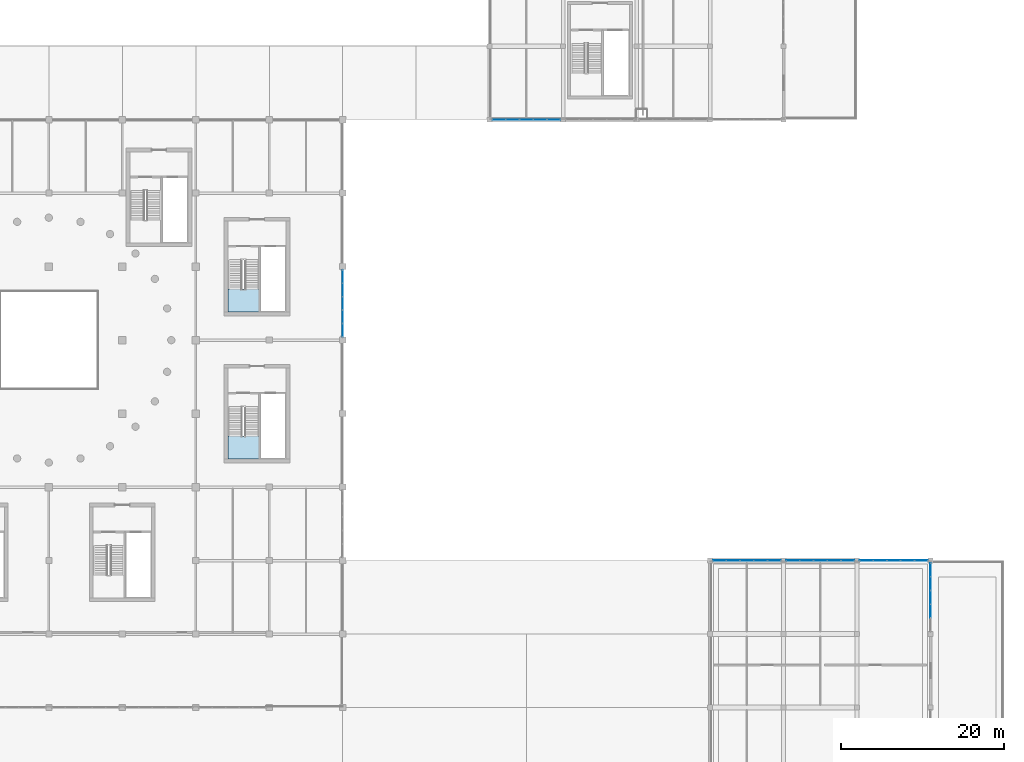
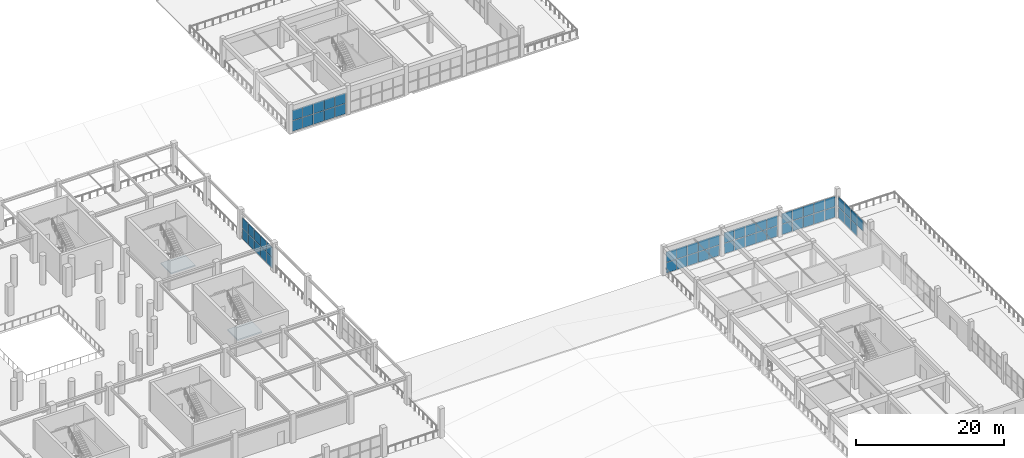
# One storey, part 55 of 89: 57 plates, 2 slabs, 8 elements without a shape of their own.
"""IFC4 building model written with IfcOpenShell, lengths in metres."""

from ifc_helpers import new_model, si_unit, direction, frame, origin, origin_2d, place, context, subcontext, project, spatial, polyline, rectangle, outline, extrude, material, layer, layer_set, type_object, element, aggregate, save


model = new_model("IFC4")

# Units and contexts
model_context = context("Model", 3, precision=1e-05, world=origin(), true_north=direction((0.0, 1.0)))
body_context = subcontext(model_context, "Body", "Model", "MODEL_VIEW")
ifc_project = project(units=[si_unit("LENGTHUNIT", "METRE"), si_unit("AREAUNIT", "SQUARE_METRE"), si_unit("VOLUMEUNIT", "CUBIC_METRE"), si_unit("PLANEANGLEUNIT", "RADIAN"), si_unit("MASSUNIT", "GRAM", prefix="KILO")], contexts=[model_context])

# Site, building, storey
site_placement = place(None, origin())
site = spatial("IfcSite", under=ifc_project, at=site_placement, CompositionType="ELEMENT")
building_placement = place(site_placement, origin())
building = spatial("IfcBuilding", under=site, at=building_placement, Name="Dornveld Trade and Exhibition Forum", CompositionType="ELEMENT")
storey_placement = place(building_placement, frame((0.0, 0.0, 12.0)))
storey = spatial("IfcBuildingStorey", under=building, at=storey_placement, Name="L02", CompositionType="ELEMENT", Elevation=12.0)

# Curtain wall, plates
ifc_material_1 = material(Name="Dark-bronze anodised aluminium and low-E glass", Category="aluminium")
ifc_layer_1 = layer(ifc_material_1, 0.156982421875)
ifc_layer_set_1 = layer_set([ifc_layer_1], Name="Dark-bronze anodised aluminium and low-E glass")
curtain_wall_type_1 = type_object("IfcCurtainWallType", Name="CW-SYS-05", PredefinedType="USERDEFINED", material=ifc_layer_set_1)
curtain_wall_1_placement = place(storey_placement, origin())
curtain_wall_1 = element("IfcCurtainWall", 1, at=curtain_wall_1_placement, inside=storey, type_object=curtain_wall_type_1, Name="L02 unitised curtain wall 113", ObjectType="UNITISED_CURTAIN_WALL", PredefinedType="USERDEFINED")
ifc_material_2 = material(Name="Double-glazed low-E solar control glass", Category="glass")
ifc_layer_2 = layer(ifc_material_2, 0.02587890625)
ifc_layer_set_2 = layer_set([ifc_layer_2], Name="Double-glazed low-E solar control glass")
plate_type_1 = type_object("IfcPlateType", Name="CW-PNL-01", PredefinedType="CURTAIN_PANEL", material=ifc_layer_set_2)
plate_1_placement = place(storey_placement, frame((172.15185546875, 108.0, 0.05615234375), z_axis=(0.0, 0.0, 1.0), x_axis=(1.0, 0.0, 0.0)))
plate_1 = element("IfcPlate", 2, at=plate_1_placement, type_object=plate_type_1, Name="CW-05 panel 1.1", PredefinedType="CURTAIN_PANEL", context=body_context, shape_type="SweptSolid", body=[
    extrude(rectangle(XDim=1.591552734375, YDim=0.02587890625, at=origin_2d()), origin(), (0.0, 0.0, 1.0), 1.701904296875),
])
plate_2_placement = place(storey_placement, frame((172.15185546875, 108.0, 1.81787109375), z_axis=(0.0, 0.0, 1.0), x_axis=(1.0, 0.0, 0.0)))
plate_2 = element("IfcPlate", 3, at=plate_2_placement, type_object=plate_type_1, Name="CW-05 panel 1.2", PredefinedType="CURTAIN_PANEL", context=body_context, shape_type="SweptSolid", body=[
    extrude(rectangle(XDim=1.591552734375, YDim=0.02587890625, at=origin_2d()), origin(), (0.0, 0.0, 1.0), 1.701904296875),
])
plate_3_placement = place(storey_placement, frame((173.818359375, 108.0, 0.05615234375), z_axis=(0.0, 0.0, 1.0), x_axis=(1.0, 0.0, 0.0)))
plate_3 = element("IfcPlate", 4, at=plate_3_placement, type_object=plate_type_1, Name="CW-05 panel 2.1", PredefinedType="CURTAIN_PANEL", context=body_context, shape_type="SweptSolid", body=[
    extrude(rectangle(XDim=1.62158203125, YDim=0.02587890625, at=origin_2d()), origin(), (0.0, 0.0, 1.0), 1.701904296875),
])
plate_4_placement = place(storey_placement, frame((173.818359375, 108.0, 1.81787109375), z_axis=(0.0, 0.0, 1.0), x_axis=(1.0, 0.0, 0.0)))
plate_4 = element("IfcPlate", 5, at=plate_4_placement, type_object=plate_type_1, Name="CW-05 panel 2.2", PredefinedType="CURTAIN_PANEL", context=body_context, shape_type="SweptSolid", body=[
    extrude(rectangle(XDim=1.62158203125, YDim=0.02587890625, at=origin_2d()), origin(), (0.0, 0.0, 1.0), 1.701904296875),
])
plate_5_placement = place(storey_placement, frame((175.5, 108.0, 0.05615234375), z_axis=(0.0, 0.0, 1.0), x_axis=(1.0, 0.0, 0.0)))
plate_5 = element("IfcPlate", 6, at=plate_5_placement, type_object=plate_type_1, Name="CW-05 panel 3.1", PredefinedType="CURTAIN_PANEL", context=body_context, shape_type="SweptSolid", body=[
    extrude(rectangle(XDim=1.62158203125, YDim=0.02587890625, at=origin_2d()), origin(), (0.0, 0.0, 1.0), 1.701904296875),
])
plate_6_placement = place(storey_placement, frame((175.5, 108.0, 1.81787109375), z_axis=(0.0, 0.0, 1.0), x_axis=(1.0, 0.0, 0.0)))
plate_6 = element("IfcPlate", 7, at=plate_6_placement, type_object=plate_type_1, Name="CW-05 panel 3.2", PredefinedType="CURTAIN_PANEL", context=body_context, shape_type="SweptSolid", body=[
    extrude(rectangle(XDim=1.62158203125, YDim=0.02587890625, at=origin_2d()), origin(), (0.0, 0.0, 1.0), 1.701904296875),
])
plate_7_placement = place(storey_placement, frame((177.181640625, 108.0, 0.05615234375), z_axis=(0.0, 0.0, 1.0), x_axis=(1.0, 0.0, 0.0)))
plate_7 = element("IfcPlate", 8, at=plate_7_placement, type_object=plate_type_1, Name="CW-05 panel 4.1", PredefinedType="CURTAIN_PANEL", context=body_context, shape_type="SweptSolid", body=[
    extrude(rectangle(XDim=1.62158203125, YDim=0.02587890625, at=origin_2d()), origin(), (0.0, 0.0, 1.0), 1.701904296875),
])
plate_8_placement = place(storey_placement, frame((177.181640625, 108.0, 1.81787109375), z_axis=(0.0, 0.0, 1.0), x_axis=(1.0, 0.0, 0.0)))
plate_8 = element("IfcPlate", 9, at=plate_8_placement, type_object=plate_type_1, Name="CW-05 panel 4.2", PredefinedType="CURTAIN_PANEL", context=body_context, shape_type="SweptSolid", body=[
    extrude(rectangle(XDim=1.62158203125, YDim=0.02587890625, at=origin_2d()), origin(), (0.0, 0.0, 1.0), 1.701904296875),
])
plate_9_placement = place(storey_placement, frame((178.84814453125, 108.0, 0.05615234375), z_axis=(0.0, 0.0, 1.0), x_axis=(1.0, 0.0, 0.0)))
plate_9 = element("IfcPlate", 10, at=plate_9_placement, type_object=plate_type_1, Name="CW-05 panel 5.1", PredefinedType="CURTAIN_PANEL", context=body_context, shape_type="SweptSolid", body=[
    extrude(rectangle(XDim=1.591552734375, YDim=0.02587890625, at=origin_2d()), origin(), (0.0, 0.0, 1.0), 1.701904296875),
])
plate_10_placement = place(storey_placement, frame((178.84814453125, 108.0, 1.81787109375), z_axis=(0.0, 0.0, 1.0), x_axis=(1.0, 0.0, 0.0)))
plate_10 = element("IfcPlate", 11, at=plate_10_placement, type_object=plate_type_1, Name="CW-05 panel 5.2", PredefinedType="CURTAIN_PANEL", context=body_context, shape_type="SweptSolid", body=[
    extrude(rectangle(XDim=1.591552734375, YDim=0.02587890625, at=origin_2d()), origin(), (0.0, 0.0, 1.0), 1.701904296875),
])
aggregate(curtain_wall_1, [plate_1, plate_2, plate_3, plate_4, plate_5, plate_6, plate_7, plate_8, plate_9, plate_10])

ifc_material_3 = material(Name="Dark-bronze anodised aluminium and low-E glass", Category="aluminium")
ifc_layer_3 = layer(ifc_material_3, 0.14501953125)
ifc_layer_set_3 = layer_set([ifc_layer_3], Name="Dark-bronze anodised aluminium and low-E glass")
curtain_wall_type_2 = type_object("IfcCurtainWallType", Name="CW-SYS-01", PredefinedType="USERDEFINED", material=ifc_layer_set_3)
curtain_wall_2_placement = place(storey_placement, origin())
curtain_wall_2 = element("IfcCurtainWall", 12, at=curtain_wall_2_placement, inside=storey, type_object=curtain_wall_type_2, Name="L02 unitised curtain wall 91", ObjectType="UNITISED_CURTAIN_WALL", PredefinedType="USERDEFINED")
ifc_material_4 = material(Name="Double-glazed low-E solar control glass", Category="glass")
ifc_layer_4 = layer(ifc_material_4, 0.030029296875)
ifc_layer_set_4 = layer_set([ifc_layer_4], Name="Double-glazed low-E solar control glass")
plate_type_2 = type_object("IfcPlateType", Name="CW-PNL-03", PredefinedType="CURTAIN_PANEL", material=ifc_layer_set_4)
plate_11_placement = place(storey_placement, frame((205.84814453125, 54.0, 0.05615234375), z_axis=(0.0, 0.0, 1.0), x_axis=(-1.0, 0.0, 0.0)))
plate_11 = element("IfcPlate", 13, at=plate_11_placement, type_object=plate_type_2, Name="CW-01 panel 1.1", PredefinedType="CURTAIN_PANEL", context=body_context, shape_type="SweptSolid", body=[
    extrude(rectangle(XDim=1.591552734375, YDim=0.030029296875, at=origin_2d()), origin(), (0.0, 0.0, 1.0), 1.701904296875),
])
plate_12_placement = place(storey_placement, frame((205.84814453125, 54.0, 1.81787109375), z_axis=(0.0, 0.0, 1.0), x_axis=(-1.0, 0.0, 0.0)))
plate_12 = element("IfcPlate", 14, at=plate_12_placement, type_object=plate_type_2, Name="CW-01 panel 1.2", PredefinedType="CURTAIN_PANEL", context=body_context, shape_type="SweptSolid", body=[
    extrude(rectangle(XDim=1.591552734375, YDim=0.030029296875, at=origin_2d()), origin(), (0.0, 0.0, 1.0), 1.701904296875),
])
plate_13_placement = place(storey_placement, frame((204.181640625, 54.0, 0.05615234375), z_axis=(0.0, 0.0, 1.0), x_axis=(-1.0, 0.0, 0.0)))
plate_13 = element("IfcPlate", 15, at=plate_13_placement, type_object=plate_type_2, Name="CW-01 panel 2.1", PredefinedType="CURTAIN_PANEL", context=body_context, shape_type="SweptSolid", body=[
    extrude(rectangle(XDim=1.62158203125, YDim=0.030029296875, at=origin_2d()), origin(), (0.0, 0.0, 1.0), 1.701904296875),
])
plate_14_placement = place(storey_placement, frame((204.181640625, 54.0, 1.81787109375), z_axis=(0.0, 0.0, 1.0), x_axis=(-1.0, 0.0, 0.0)))
plate_14 = element("IfcPlate", 16, at=plate_14_placement, type_object=plate_type_2, Name="CW-01 panel 2.2", PredefinedType="CURTAIN_PANEL", context=body_context, shape_type="SweptSolid", body=[
    extrude(rectangle(XDim=1.62158203125, YDim=0.030029296875, at=origin_2d()), origin(), (0.0, 0.0, 1.0), 1.701904296875),
])
plate_15_placement = place(storey_placement, frame((202.5, 54.0, 0.05615234375), z_axis=(0.0, 0.0, 1.0), x_axis=(-1.0, 0.0, 0.0)))
plate_15 = element("IfcPlate", 17, at=plate_15_placement, type_object=plate_type_2, Name="CW-01 panel 3.1", PredefinedType="CURTAIN_PANEL", context=body_context, shape_type="SweptSolid", body=[
    extrude(rectangle(XDim=1.62158203125, YDim=0.030029296875, at=origin_2d()), origin(), (0.0, 0.0, 1.0), 1.701904296875),
])
plate_16_placement = place(storey_placement, frame((202.5, 54.0, 1.81787109375), z_axis=(0.0, 0.0, 1.0), x_axis=(-1.0, 0.0, 0.0)))
plate_16 = element("IfcPlate", 18, at=plate_16_placement, type_object=plate_type_2, Name="CW-01 panel 3.2", PredefinedType="CURTAIN_PANEL", context=body_context, shape_type="SweptSolid", body=[
    extrude(rectangle(XDim=1.62158203125, YDim=0.030029296875, at=origin_2d()), origin(), (0.0, 0.0, 1.0), 1.701904296875),
])
plate_17_placement = place(storey_placement, frame((200.818359375, 54.0, 0.05615234375), z_axis=(0.0, 0.0, 1.0), x_axis=(-1.0, 0.0, 0.0)))
plate_17 = element("IfcPlate", 19, at=plate_17_placement, type_object=plate_type_2, Name="CW-01 panel 4.1", PredefinedType="CURTAIN_PANEL", context=body_context, shape_type="SweptSolid", body=[
    extrude(rectangle(XDim=1.62158203125, YDim=0.030029296875, at=origin_2d()), origin(), (0.0, 0.0, 1.0), 1.701904296875),
])
plate_18_placement = place(storey_placement, frame((200.818359375, 54.0, 1.81787109375), z_axis=(0.0, 0.0, 1.0), x_axis=(-1.0, 0.0, 0.0)))
plate_18 = element("IfcPlate", 20, at=plate_18_placement, type_object=plate_type_2, Name="CW-01 panel 4.2", PredefinedType="CURTAIN_PANEL", context=body_context, shape_type="SweptSolid", body=[
    extrude(rectangle(XDim=1.62158203125, YDim=0.030029296875, at=origin_2d()), origin(), (0.0, 0.0, 1.0), 1.701904296875),
])
plate_19_placement = place(storey_placement, frame((199.15185546875, 54.0, 0.05615234375), z_axis=(0.0, 0.0, 1.0), x_axis=(-1.0, 0.0, 0.0)))
plate_19 = element("IfcPlate", 21, at=plate_19_placement, type_object=plate_type_2, Name="CW-01 panel 5.1", PredefinedType="CURTAIN_PANEL", context=body_context, shape_type="SweptSolid", body=[
    extrude(rectangle(XDim=1.591552734375, YDim=0.030029296875, at=origin_2d()), origin(), (0.0, 0.0, 1.0), 1.701904296875),
])
plate_20_placement = place(storey_placement, frame((199.15185546875, 54.0, 1.81787109375), z_axis=(0.0, 0.0, 1.0), x_axis=(-1.0, 0.0, 0.0)))
plate_20 = element("IfcPlate", 22, at=plate_20_placement, type_object=plate_type_2, Name="CW-01 panel 5.2", PredefinedType="CURTAIN_PANEL", context=body_context, shape_type="SweptSolid", body=[
    extrude(rectangle(XDim=1.591552734375, YDim=0.030029296875, at=origin_2d()), origin(), (0.0, 0.0, 1.0), 1.701904296875),
])
aggregate(curtain_wall_2, [plate_11, plate_12, plate_13, plate_14, plate_15, plate_16, plate_17, plate_18, plate_19, plate_20])

ifc_material_5 = material(Name="Dark-bronze anodised aluminium and low-E glass", Category="aluminium")
ifc_layer_5 = layer(ifc_material_5, 0.14794921875)
ifc_layer_set_5 = layer_set([ifc_layer_5], Name="Dark-bronze anodised aluminium and low-E glass")
curtain_wall_type_3 = type_object("IfcCurtainWallType", Name="CW-SYS-02", PredefinedType="USERDEFINED", material=ifc_layer_set_5)
curtain_wall_3_placement = place(storey_placement, origin())
curtain_wall_3 = element("IfcCurtainWall", 23, at=curtain_wall_3_placement, inside=storey, type_object=curtain_wall_type_3, Name="L02 unitised curtain wall 92", ObjectType="UNITISED_CURTAIN_WALL", PredefinedType="USERDEFINED")
ifc_material_6 = material(Name="Double-glazed low-E solar control glass", Category="glass")
ifc_layer_6 = layer(ifc_material_6, 0.031982421875)
ifc_layer_set_6 = layer_set([ifc_layer_6], Name="Double-glazed low-E solar control glass")
plate_type_3 = type_object("IfcPlateType", Name="CW-PNL-04", PredefinedType="CURTAIN_PANEL", material=ifc_layer_set_6)
plate_21_placement = place(storey_placement, frame((214.84814453125, 54.0, 0.05615234375), z_axis=(0.0, 0.0, 1.0), x_axis=(-1.0, 0.0, 0.0)))
plate_21 = element("IfcPlate", 24, at=plate_21_placement, type_object=plate_type_3, Name="CW-02 panel 1.1", PredefinedType="CURTAIN_PANEL", context=body_context, shape_type="SweptSolid", body=[
    extrude(rectangle(XDim=1.591552734375, YDim=0.031982421875, at=origin_2d()), origin(), (0.0, 0.0, 1.0), 1.701904296875),
])
plate_22_placement = place(storey_placement, frame((214.84814453125, 54.0, 1.81787109375), z_axis=(0.0, 0.0, 1.0), x_axis=(-1.0, 0.0, 0.0)))
plate_22 = element("IfcPlate", 25, at=plate_22_placement, type_object=plate_type_3, Name="CW-02 panel 1.2", PredefinedType="CURTAIN_PANEL", context=body_context, shape_type="SweptSolid", body=[
    extrude(rectangle(XDim=1.591552734375, YDim=0.031982421875, at=origin_2d()), origin(), (0.0, 0.0, 1.0), 1.701904296875),
])
plate_23_placement = place(storey_placement, frame((213.181640625, 54.0, 0.05615234375), z_axis=(0.0, 0.0, 1.0), x_axis=(-1.0, 0.0, 0.0)))
plate_23 = element("IfcPlate", 26, at=plate_23_placement, type_object=plate_type_3, Name="CW-02 panel 2.1", PredefinedType="CURTAIN_PANEL", context=body_context, shape_type="SweptSolid", body=[
    extrude(rectangle(XDim=1.62158203125, YDim=0.031982421875, at=origin_2d()), origin(), (0.0, 0.0, 1.0), 1.701904296875),
])
plate_24_placement = place(storey_placement, frame((213.181640625, 54.0, 1.81787109375), z_axis=(0.0, 0.0, 1.0), x_axis=(-1.0, 0.0, 0.0)))
plate_24 = element("IfcPlate", 27, at=plate_24_placement, type_object=plate_type_3, Name="CW-02 panel 2.2", PredefinedType="CURTAIN_PANEL", context=body_context, shape_type="SweptSolid", body=[
    extrude(rectangle(XDim=1.62158203125, YDim=0.031982421875, at=origin_2d()), origin(), (0.0, 0.0, 1.0), 1.701904296875),
])
plate_25_placement = place(storey_placement, frame((211.5, 54.0, 0.05615234375), z_axis=(0.0, 0.0, 1.0), x_axis=(-1.0, 0.0, 0.0)))
plate_25 = element("IfcPlate", 28, at=plate_25_placement, type_object=plate_type_3, Name="CW-02 panel 3.1", PredefinedType="CURTAIN_PANEL", context=body_context, shape_type="SweptSolid", body=[
    extrude(rectangle(XDim=1.62158203125, YDim=0.031982421875, at=origin_2d()), origin(), (0.0, 0.0, 1.0), 1.701904296875),
])
plate_26_placement = place(storey_placement, frame((211.5, 54.0, 1.81787109375), z_axis=(0.0, 0.0, 1.0), x_axis=(-1.0, 0.0, 0.0)))
plate_26 = element("IfcPlate", 29, at=plate_26_placement, type_object=plate_type_3, Name="CW-02 panel 3.2", PredefinedType="CURTAIN_PANEL", context=body_context, shape_type="SweptSolid", body=[
    extrude(rectangle(XDim=1.62158203125, YDim=0.031982421875, at=origin_2d()), origin(), (0.0, 0.0, 1.0), 1.701904296875),
])
plate_27_placement = place(storey_placement, frame((209.818359375, 54.0, 0.05615234375), z_axis=(0.0, 0.0, 1.0), x_axis=(-1.0, 0.0, 0.0)))
plate_27 = element("IfcPlate", 30, at=plate_27_placement, type_object=plate_type_3, Name="CW-02 panel 4.1", PredefinedType="CURTAIN_PANEL", context=body_context, shape_type="SweptSolid", body=[
    extrude(rectangle(XDim=1.62158203125, YDim=0.031982421875, at=origin_2d()), origin(), (0.0, 0.0, 1.0), 1.701904296875),
])
plate_28_placement = place(storey_placement, frame((209.818359375, 54.0, 1.81787109375), z_axis=(0.0, 0.0, 1.0), x_axis=(-1.0, 0.0, 0.0)))
plate_28 = element("IfcPlate", 31, at=plate_28_placement, type_object=plate_type_3, Name="CW-02 panel 4.2", PredefinedType="CURTAIN_PANEL", context=body_context, shape_type="SweptSolid", body=[
    extrude(rectangle(XDim=1.62158203125, YDim=0.031982421875, at=origin_2d()), origin(), (0.0, 0.0, 1.0), 1.701904296875),
])
plate_29_placement = place(storey_placement, frame((208.15185546875, 54.0, 0.05615234375), z_axis=(0.0, 0.0, 1.0), x_axis=(-1.0, 0.0, 0.0)))
plate_29 = element("IfcPlate", 32, at=plate_29_placement, type_object=plate_type_3, Name="CW-02 panel 5.1", PredefinedType="CURTAIN_PANEL", context=body_context, shape_type="SweptSolid", body=[
    extrude(rectangle(XDim=1.591552734375, YDim=0.031982421875, at=origin_2d()), origin(), (0.0, 0.0, 1.0), 1.701904296875),
])
plate_30_placement = place(storey_placement, frame((208.15185546875, 54.0, 1.81787109375), z_axis=(0.0, 0.0, 1.0), x_axis=(-1.0, 0.0, 0.0)))
plate_30 = element("IfcPlate", 33, at=plate_30_placement, type_object=plate_type_3, Name="CW-02 panel 5.2", PredefinedType="CURTAIN_PANEL", context=body_context, shape_type="SweptSolid", body=[
    extrude(rectangle(XDim=1.591552734375, YDim=0.031982421875, at=origin_2d()), origin(), (0.0, 0.0, 1.0), 1.701904296875),
])
aggregate(curtain_wall_3, [plate_21, plate_22, plate_23, plate_24, plate_25, plate_26, plate_27, plate_28, plate_29, plate_30])

ifc_material_7 = material(Name="Dark-bronze anodised aluminium and low-E glass", Category="aluminium")
ifc_layer_7 = layer(ifc_material_7, 0.15087890625)
ifc_layer_set_7 = layer_set([ifc_layer_7], Name="Dark-bronze anodised aluminium and low-E glass")
curtain_wall_type_4 = type_object("IfcCurtainWallType", Name="CW-SYS-03", PredefinedType="USERDEFINED", material=ifc_layer_set_7)
curtain_wall_4_placement = place(storey_placement, origin())
curtain_wall_4 = element("IfcCurtainWall", 34, at=curtain_wall_4_placement, inside=storey, type_object=curtain_wall_type_4, Name="L02 unitised curtain wall 93", ObjectType="UNITISED_CURTAIN_WALL", PredefinedType="USERDEFINED")
ifc_material_8 = material(Name="Double-glazed low-E solar control glass", Category="glass")
ifc_layer_8 = layer(ifc_material_8, 0.033935546875)
ifc_layer_set_8 = layer_set([ifc_layer_8], Name="Double-glazed low-E solar control glass")
plate_type_4 = type_object("IfcPlateType", Name="CW-PNL-05", PredefinedType="CURTAIN_PANEL", material=ifc_layer_set_8)
plate_31_placement = place(storey_placement, frame((223.84814453125, 54.0, 0.05615234375), z_axis=(0.0, 0.0, 1.0), x_axis=(-1.0, 0.0, 0.0)))
plate_31 = element("IfcPlate", 35, at=plate_31_placement, type_object=plate_type_4, Name="CW-03 panel 1.1", PredefinedType="CURTAIN_PANEL", context=body_context, shape_type="SweptSolid", body=[
    extrude(rectangle(XDim=1.591552734375, YDim=0.033935546875, at=origin_2d()), origin(), (0.0, 0.0, 1.0), 1.701904296875),
])
plate_32_placement = place(storey_placement, frame((223.84814453125, 54.0, 1.81787109375), z_axis=(0.0, 0.0, 1.0), x_axis=(-1.0, 0.0, 0.0)))
plate_32 = element("IfcPlate", 36, at=plate_32_placement, type_object=plate_type_4, Name="CW-03 panel 1.2", PredefinedType="CURTAIN_PANEL", context=body_context, shape_type="SweptSolid", body=[
    extrude(rectangle(XDim=1.591552734375, YDim=0.033935546875, at=origin_2d()), origin(), (0.0, 0.0, 1.0), 1.701904296875),
])
plate_33_placement = place(storey_placement, frame((222.181640625, 54.0, 0.05615234375), z_axis=(0.0, 0.0, 1.0), x_axis=(-1.0, 0.0, 0.0)))
plate_33 = element("IfcPlate", 37, at=plate_33_placement, type_object=plate_type_4, Name="CW-03 panel 2.1", PredefinedType="CURTAIN_PANEL", context=body_context, shape_type="SweptSolid", body=[
    extrude(rectangle(XDim=1.62158203125, YDim=0.033935546875, at=origin_2d()), origin(), (0.0, 0.0, 1.0), 1.701904296875),
])
plate_34_placement = place(storey_placement, frame((222.181640625, 54.0, 1.81787109375), z_axis=(0.0, 0.0, 1.0), x_axis=(-1.0, 0.0, 0.0)))
plate_34 = element("IfcPlate", 38, at=plate_34_placement, type_object=plate_type_4, Name="CW-03 panel 2.2", PredefinedType="CURTAIN_PANEL", context=body_context, shape_type="SweptSolid", body=[
    extrude(rectangle(XDim=1.62158203125, YDim=0.033935546875, at=origin_2d()), origin(), (0.0, 0.0, 1.0), 1.701904296875),
])
plate_35_placement = place(storey_placement, frame((220.5, 54.0, 0.05615234375), z_axis=(0.0, 0.0, 1.0), x_axis=(-1.0, 0.0, 0.0)))
plate_35 = element("IfcPlate", 39, at=plate_35_placement, type_object=plate_type_4, Name="CW-03 panel 3.1", PredefinedType="CURTAIN_PANEL", context=body_context, shape_type="SweptSolid", body=[
    extrude(rectangle(XDim=1.62158203125, YDim=0.033935546875, at=origin_2d()), origin(), (0.0, 0.0, 1.0), 1.701904296875),
])
plate_36_placement = place(storey_placement, frame((220.5, 54.0, 1.81787109375), z_axis=(0.0, 0.0, 1.0), x_axis=(-1.0, 0.0, 0.0)))
plate_36 = element("IfcPlate", 40, at=plate_36_placement, type_object=plate_type_4, Name="CW-03 panel 3.2", PredefinedType="CURTAIN_PANEL", context=body_context, shape_type="SweptSolid", body=[
    extrude(rectangle(XDim=1.62158203125, YDim=0.033935546875, at=origin_2d()), origin(), (0.0, 0.0, 1.0), 1.701904296875),
])
plate_37_placement = place(storey_placement, frame((218.818359375, 54.0, 0.05615234375), z_axis=(0.0, 0.0, 1.0), x_axis=(-1.0, 0.0, 0.0)))
plate_37 = element("IfcPlate", 41, at=plate_37_placement, type_object=plate_type_4, Name="CW-03 panel 4.1", PredefinedType="CURTAIN_PANEL", context=body_context, shape_type="SweptSolid", body=[
    extrude(rectangle(XDim=1.62158203125, YDim=0.033935546875, at=origin_2d()), origin(), (0.0, 0.0, 1.0), 1.701904296875),
])
plate_38_placement = place(storey_placement, frame((218.818359375, 54.0, 1.81787109375), z_axis=(0.0, 0.0, 1.0), x_axis=(-1.0, 0.0, 0.0)))
plate_38 = element("IfcPlate", 42, at=plate_38_placement, type_object=plate_type_4, Name="CW-03 panel 4.2", PredefinedType="CURTAIN_PANEL", context=body_context, shape_type="SweptSolid", body=[
    extrude(rectangle(XDim=1.62158203125, YDim=0.033935546875, at=origin_2d()), origin(), (0.0, 0.0, 1.0), 1.701904296875),
])
plate_39_placement = place(storey_placement, frame((217.15185546875, 54.0, 0.05615234375), z_axis=(0.0, 0.0, 1.0), x_axis=(-1.0, 0.0, 0.0)))
plate_39 = element("IfcPlate", 43, at=plate_39_placement, type_object=plate_type_4, Name="CW-03 panel 5.1", PredefinedType="CURTAIN_PANEL", context=body_context, shape_type="SweptSolid", body=[
    extrude(rectangle(XDim=1.591552734375, YDim=0.033935546875, at=origin_2d()), origin(), (0.0, 0.0, 1.0), 1.701904296875),
])
plate_40_placement = place(storey_placement, frame((217.15185546875, 54.0, 1.81787109375), z_axis=(0.0, 0.0, 1.0), x_axis=(-1.0, 0.0, 0.0)))
plate_40 = element("IfcPlate", 44, at=plate_40_placement, type_object=plate_type_4, Name="CW-03 panel 5.2", PredefinedType="CURTAIN_PANEL", context=body_context, shape_type="SweptSolid", body=[
    extrude(rectangle(XDim=1.591552734375, YDim=0.033935546875, at=origin_2d()), origin(), (0.0, 0.0, 1.0), 1.701904296875),
])
aggregate(curtain_wall_4, [plate_31, plate_32, plate_33, plate_34, plate_35, plate_36, plate_37, plate_38, plate_39, plate_40])

ifc_material_9 = material(Name="Dark-bronze anodised aluminium and low-E glass", Category="aluminium")
ifc_layer_9 = layer(ifc_material_9, 0.1689453125)
ifc_layer_set_9 = layer_set([ifc_layer_9], Name="Dark-bronze anodised aluminium and low-E glass")
curtain_wall_type_5 = type_object("IfcCurtainWallType", Name="CW-SYS-09", PredefinedType="USERDEFINED", material=ifc_layer_set_9)
curtain_wall_5_placement = place(storey_placement, origin())
curtain_wall_5 = element("IfcCurtainWall", 45, at=curtain_wall_5_placement, inside=storey, type_object=curtain_wall_type_5, Name="L02 unitised curtain wall 63", ObjectType="UNITISED_CURTAIN_WALL", PredefinedType="USERDEFINED")
ifc_material_10 = material(Name="Double-glazed low-E solar control glass", Category="glass")
ifc_layer_10 = layer(ifc_material_10, 0.0380859375)
ifc_layer_set_10 = layer_set([ifc_layer_10], Name="Double-glazed low-E solar control glass")
plate_type_5 = type_object("IfcPlateType", Name="CW-PNL-07", PredefinedType="CURTAIN_PANEL", material=ifc_layer_set_10)
plate_41_placement = place(storey_placement, frame((153.0, 82.2119140625, 0.05615234375), z_axis=(0.0, 0.0, 1.0), x_axis=(0.0, 1.0, 0.0)))
plate_41 = element("IfcPlate", 46, at=plate_41_placement, type_object=plate_type_5, Name="CW-09 panel 1.1", PredefinedType="CURTAIN_PANEL", context=body_context, shape_type="SweptSolid", body=[
    extrude(rectangle(XDim=1.5615234375, YDim=0.0380859375, at=origin_2d()), origin(), (0.0, 0.0, 1.0), 1.701904296875),
])
plate_42_placement = place(storey_placement, frame((153.0, 82.2119140625, 1.81787109375), z_axis=(0.0, 0.0, 1.0), x_axis=(0.0, 1.0, 0.0)))
plate_42 = element("IfcPlate", 47, at=plate_42_placement, type_object=plate_type_5, Name="CW-09 panel 1.2", PredefinedType="CURTAIN_PANEL", context=body_context, shape_type="SweptSolid", body=[
    extrude(rectangle(XDim=1.5615234375, YDim=0.0380859375, at=origin_2d()), origin(), (0.0, 0.0, 1.0), 1.701904296875),
])
plate_43_placement = place(storey_placement, frame((153.0, 83.848388671875, 0.05615234375), z_axis=(0.0, 0.0, 1.0), x_axis=(0.0, 1.0, 0.0)))
plate_43 = element("IfcPlate", 48, at=plate_43_placement, type_object=plate_type_5, Name="CW-09 panel 2.1", PredefinedType="CURTAIN_PANEL", context=body_context, shape_type="SweptSolid", body=[
    extrude(rectangle(XDim=1.591552734375, YDim=0.0380859375, at=origin_2d()), origin(), (0.0, 0.0, 1.0), 1.701904296875),
])
plate_44_placement = place(storey_placement, frame((153.0, 83.848388671875, 1.81787109375), z_axis=(0.0, 0.0, 1.0), x_axis=(0.0, 1.0, 0.0)))
plate_44 = element("IfcPlate", 49, at=plate_44_placement, type_object=plate_type_5, Name="CW-09 panel 2.2", PredefinedType="CURTAIN_PANEL", context=body_context, shape_type="SweptSolid", body=[
    extrude(rectangle(XDim=1.591552734375, YDim=0.0380859375, at=origin_2d()), origin(), (0.0, 0.0, 1.0), 1.701904296875),
])
plate_45_placement = place(storey_placement, frame((153.0, 85.5, 0.05615234375), z_axis=(0.0, 0.0, 1.0), x_axis=(0.0, 1.0, 0.0)))
plate_45 = element("IfcPlate", 50, at=plate_45_placement, type_object=plate_type_5, Name="CW-09 panel 3.1", PredefinedType="CURTAIN_PANEL", context=body_context, shape_type="SweptSolid", body=[
    extrude(rectangle(XDim=1.591552734375, YDim=0.0380859375, at=origin_2d()), origin(), (0.0, 0.0, 1.0), 1.701904296875),
])
plate_46_placement = place(storey_placement, frame((153.0, 85.5, 1.81787109375), z_axis=(0.0, 0.0, 1.0), x_axis=(0.0, 1.0, 0.0)))
plate_46 = element("IfcPlate", 51, at=plate_46_placement, type_object=plate_type_5, Name="CW-09 panel 3.2", PredefinedType="CURTAIN_PANEL", context=body_context, shape_type="SweptSolid", body=[
    extrude(rectangle(XDim=1.591552734375, YDim=0.0380859375, at=origin_2d()), origin(), (0.0, 0.0, 1.0), 1.701904296875),
])
plate_47_placement = place(storey_placement, frame((153.0, 87.151611328125, 0.05615234375), z_axis=(0.0, 0.0, 1.0), x_axis=(0.0, 1.0, 0.0)))
plate_47 = element("IfcPlate", 52, at=plate_47_placement, type_object=plate_type_5, Name="CW-09 panel 4.1", PredefinedType="CURTAIN_PANEL", context=body_context, shape_type="SweptSolid", body=[
    extrude(rectangle(XDim=1.591552734375, YDim=0.0380859375, at=origin_2d()), origin(), (0.0, 0.0, 1.0), 1.701904296875),
])
plate_48_placement = place(storey_placement, frame((153.0, 87.151611328125, 1.81787109375), z_axis=(0.0, 0.0, 1.0), x_axis=(0.0, 1.0, 0.0)))
plate_48 = element("IfcPlate", 53, at=plate_48_placement, type_object=plate_type_5, Name="CW-09 panel 4.2", PredefinedType="CURTAIN_PANEL", context=body_context, shape_type="SweptSolid", body=[
    extrude(rectangle(XDim=1.591552734375, YDim=0.0380859375, at=origin_2d()), origin(), (0.0, 0.0, 1.0), 1.701904296875),
])
plate_49_placement = place(storey_placement, frame((153.0, 88.7880859375, 0.05615234375), z_axis=(0.0, 0.0, 1.0), x_axis=(0.0, 1.0, 0.0)))
plate_49 = element("IfcPlate", 54, at=plate_49_placement, type_object=plate_type_5, Name="CW-09 panel 5.1", PredefinedType="CURTAIN_PANEL", context=body_context, shape_type="SweptSolid", body=[
    extrude(rectangle(XDim=1.5615234375, YDim=0.0380859375, at=origin_2d()), origin(), (0.0, 0.0, 1.0), 1.701904296875),
])
plate_50_placement = place(storey_placement, frame((153.0, 88.7880859375, 1.81787109375), z_axis=(0.0, 0.0, 1.0), x_axis=(0.0, 1.0, 0.0)))
plate_50 = element("IfcPlate", 55, at=plate_50_placement, type_object=plate_type_5, Name="CW-09 panel 5.2", PredefinedType="CURTAIN_PANEL", context=body_context, shape_type="SweptSolid", body=[
    extrude(rectangle(XDim=1.5615234375, YDim=0.0380859375, at=origin_2d()), origin(), (0.0, 0.0, 1.0), 1.701904296875),
])
aggregate(curtain_wall_5, [plate_41, plate_42, plate_43, plate_44, plate_45, plate_46, plate_47, plate_48, plate_49, plate_50])

ifc_material_11 = material(Name="Dark-bronze anodised aluminium and low-E glass", Category="aluminium")
ifc_layer_11 = layer(ifc_material_11, 0.1630859375)
ifc_layer_set_11 = layer_set([ifc_layer_11], Name="Dark-bronze anodised aluminium and low-E glass")
curtain_wall_type_6 = type_object("IfcCurtainWallType", Name="CW-SYS-07", PredefinedType="USERDEFINED", material=ifc_layer_set_11)
curtain_wall_6_placement = place(storey_placement, origin())
curtain_wall_6 = element("IfcCurtainWall", 56, at=curtain_wall_6_placement, inside=storey, type_object=curtain_wall_type_6, Name="L02 unitised curtain wall 79", ObjectType="UNITISED_CURTAIN_WALL", PredefinedType="USERDEFINED")
plate_51_placement = place(storey_placement, frame((225.0, 47.818359375, 1.81787109375), z_axis=(0.0, 0.0, 1.0), x_axis=(0.0, 1.0, 0.0)))
plate_51 = element("IfcPlate", 57, at=plate_51_placement, type_object=plate_type_5, Name="CW-07 panel 2.2", PredefinedType="CURTAIN_PANEL", context=body_context, shape_type="SweptSolid", body=[
    extrude(rectangle(XDim=1.62158203125, YDim=0.0380859375, at=origin_2d()), origin(), (0.0, 0.0, 1.0), 1.701904296875),
])
plate_52_placement = place(storey_placement, frame((225.0, 49.5, 0.05615234375), z_axis=(0.0, 0.0, 1.0), x_axis=(0.0, 1.0, 0.0)))
plate_52 = element("IfcPlate", 58, at=plate_52_placement, type_object=plate_type_5, Name="CW-07 panel 3.1", PredefinedType="CURTAIN_PANEL", context=body_context, shape_type="SweptSolid", body=[
    extrude(rectangle(XDim=1.62158203125, YDim=0.0380859375, at=origin_2d()), origin(), (0.0, 0.0, 1.0), 1.701904296875),
])
plate_53_placement = place(storey_placement, frame((225.0, 49.5, 1.81787109375), z_axis=(0.0, 0.0, 1.0), x_axis=(0.0, 1.0, 0.0)))
plate_53 = element("IfcPlate", 59, at=plate_53_placement, type_object=plate_type_5, Name="CW-07 panel 3.2", PredefinedType="CURTAIN_PANEL", context=body_context, shape_type="SweptSolid", body=[
    extrude(rectangle(XDim=1.62158203125, YDim=0.0380859375, at=origin_2d()), origin(), (0.0, 0.0, 1.0), 1.701904296875),
])
plate_54_placement = place(storey_placement, frame((225.0, 51.181640625, 0.05615234375), z_axis=(0.0, 0.0, 1.0), x_axis=(0.0, 1.0, 0.0)))
plate_54 = element("IfcPlate", 60, at=plate_54_placement, type_object=plate_type_5, Name="CW-07 panel 4.1", PredefinedType="CURTAIN_PANEL", context=body_context, shape_type="SweptSolid", body=[
    extrude(rectangle(XDim=1.62158203125, YDim=0.0380859375, at=origin_2d()), origin(), (0.0, 0.0, 1.0), 1.701904296875),
])
plate_55_placement = place(storey_placement, frame((225.0, 51.181640625, 1.81787109375), z_axis=(0.0, 0.0, 1.0), x_axis=(0.0, 1.0, 0.0)))
plate_55 = element("IfcPlate", 61, at=plate_55_placement, type_object=plate_type_5, Name="CW-07 panel 4.2", PredefinedType="CURTAIN_PANEL", context=body_context, shape_type="SweptSolid", body=[
    extrude(rectangle(XDim=1.62158203125, YDim=0.0380859375, at=origin_2d()), origin(), (0.0, 0.0, 1.0), 1.701904296875),
])
plate_56_placement = place(storey_placement, frame((225.0, 52.84814453125, 0.05615234375), z_axis=(0.0, 0.0, 1.0), x_axis=(0.0, 1.0, 0.0)))
plate_56 = element("IfcPlate", 62, at=plate_56_placement, type_object=plate_type_5, Name="CW-07 panel 5.1", PredefinedType="CURTAIN_PANEL", context=body_context, shape_type="SweptSolid", body=[
    extrude(rectangle(XDim=1.591552734375, YDim=0.0380859375, at=origin_2d()), origin(), (0.0, 0.0, 1.0), 1.701904296875),
])
plate_57_placement = place(storey_placement, frame((225.0, 52.84814453125, 1.81787109375), z_axis=(0.0, 0.0, 1.0), x_axis=(0.0, 1.0, 0.0)))
plate_57 = element("IfcPlate", 63, at=plate_57_placement, type_object=plate_type_5, Name="CW-07 panel 5.2", PredefinedType="CURTAIN_PANEL", context=body_context, shape_type="SweptSolid", body=[
    extrude(rectangle(XDim=1.591552734375, YDim=0.0380859375, at=origin_2d()), origin(), (0.0, 0.0, 1.0), 1.701904296875),
])
aggregate(curtain_wall_6, [plate_51, plate_52, plate_53, plate_54, plate_55, plate_56, plate_57])

# Stair, slab
ifc_material_12 = material(Name="Concrete C40/50", Category="concrete")
stair_type_1 = type_object("IfcStairType", Name="ST-2RET-480A", PredefinedType="HALF_TURN_STAIR", material=ifc_material_12)
stair_1_placement = place(storey_placement, origin())
stair_1 = element("IfcStair", 64, at=stair_1_placement, inside=storey, type_object=stair_type_1, Name="CORE-01 escape stair L02 to L03", PredefinedType="HALF_TURN_STAIR")
ifc_material_13 = material(Name="Concrete C40/50", Category="concrete")
ifc_layer_12 = layer(ifc_material_13, 0.199951171875)
ifc_layer_set_12 = layer_set([ifc_layer_12], Name="Concrete C40/50")
slab_type_1 = type_object("IfcSlabType", Name="SL-LAND-200", PredefinedType="LANDING", material=ifc_layer_set_12)
slab_1_placement = place(storey_placement, frame((0.0, 0.0, 2.199951171875)))
slab_1 = element("IfcSlab", 65, at=slab_1_placement, type_object=slab_type_1, Name="ST-01-L02 landing 1", PredefinedType="LANDING", context=body_context, shape_type="SweptSolid", body=[
    extrude(outline(polyline([(138.925048828125, 84.425048828125), (142.719970703125, 84.425048828125), (142.719970703125, 87.235107421875), (138.925048828125, 87.235107421875), (138.925048828125, 84.425048828125)])), origin(), (0.0, 0.0, 1.0), 0.199951171875),
])
aggregate(stair_1, [slab_1])

ifc_material_14 = material(Name="Concrete C40/50", Category="concrete")
stair_type_2 = type_object("IfcStairType", Name="ST-2RET-480B", PredefinedType="HALF_TURN_STAIR", material=ifc_material_14)
stair_2_placement = place(storey_placement, origin())
stair_2 = element("IfcStair", 66, at=stair_2_placement, inside=storey, type_object=stair_type_2, Name="CORE-08 escape stair L02 to L03", PredefinedType="HALF_TURN_STAIR")
ifc_material_15 = material(Name="Concrete C40/50", Category="concrete")
ifc_layer_13 = layer(ifc_material_15, 0.219970703125)
ifc_layer_set_13 = layer_set([ifc_layer_13], Name="Concrete C40/50")
slab_type_2 = type_object("IfcSlabType", Name="SL-LAND-220", PredefinedType="LANDING", material=ifc_layer_set_13)
slab_2_placement = place(storey_placement, frame((0.0, 0.0, 2.179931640625)))
slab_2 = element("IfcSlab", 67, at=slab_2_placement, type_object=slab_type_2, Name="ST-08-L02 landing 1", PredefinedType="LANDING", context=body_context, shape_type="SweptSolid", body=[
    extrude(outline(polyline([(138.925048828125, 66.425048828125), (142.719970703125, 66.425048828125), (142.719970703125, 69.235107421875), (138.925048828125, 69.235107421875), (138.925048828125, 66.425048828125)])), origin(), (0.0, 0.0, 1.0), 0.219970703125),
])
aggregate(stair_2, [slab_2])

save(model, "model.ifc")
